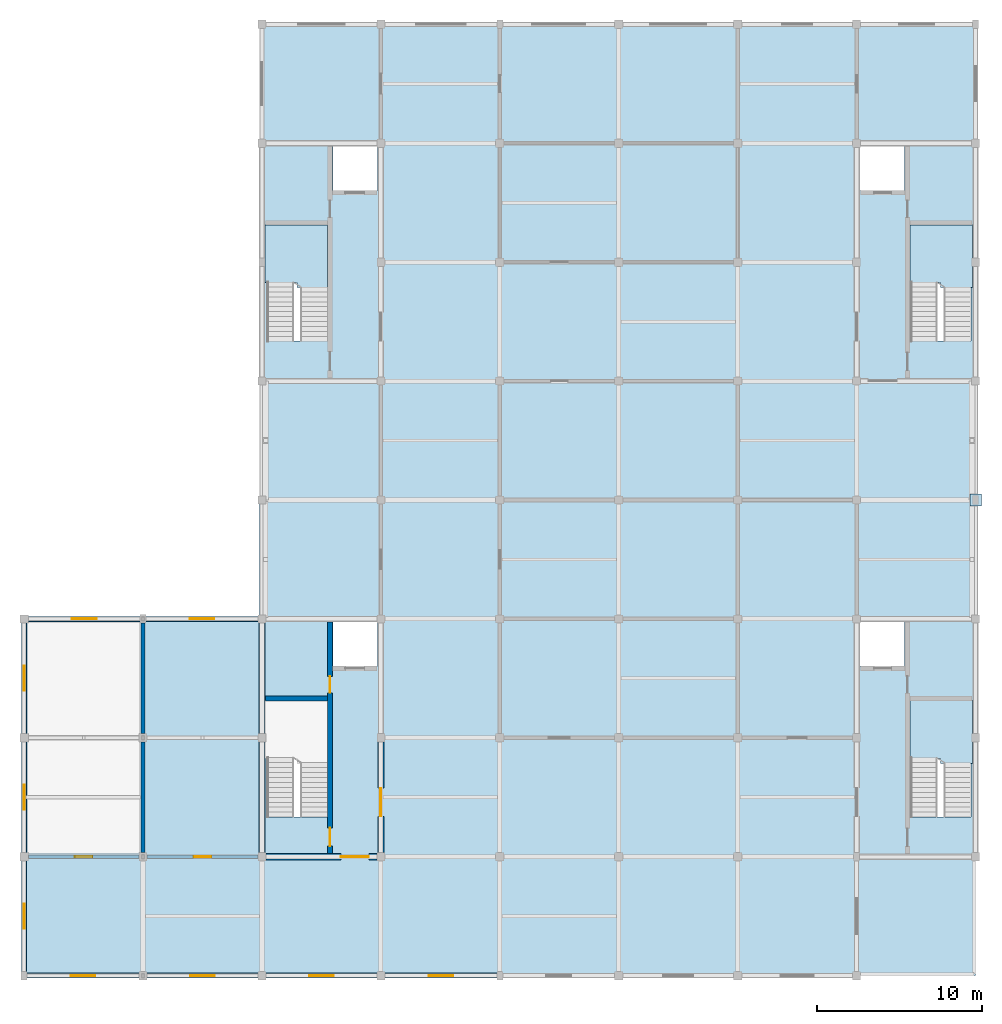
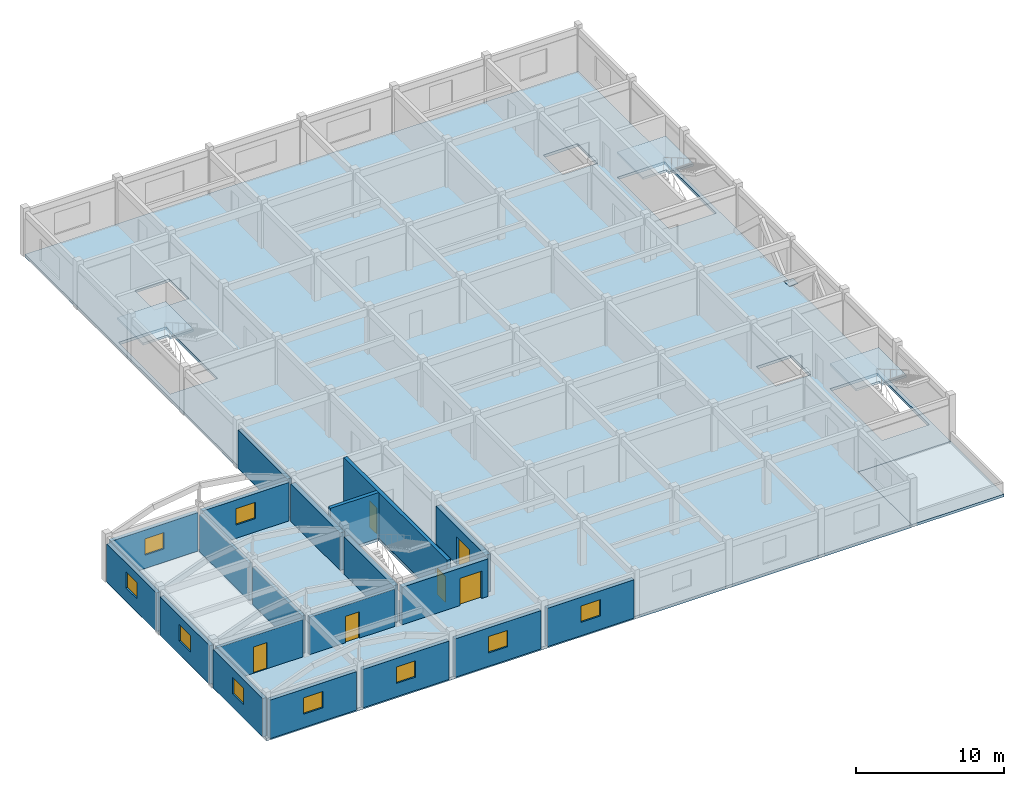
# One storey, part 6 of 10: 20 walls, 9 windows, 6 doors, 5 slabs, 1 plate, 15 openings, 3 elements without a shape of their own.
"""IFC4 building model written with IfcOpenShell, lengths in metres."""

from ifc_helpers import new_model, si_unit, direction, frame, frame_2d, origin, origin_2d, place, context, subcontext, project, spatial, polyline, rectangle, outline, extrude, material, layer, layer_set, type_object, element, fill, aggregate, save


model = new_model("IFC4")

# Units and contexts
model_context = context("Model", 3, precision=1e-05, world=origin(), true_north=direction((0.0, 1.0)))
body_context = subcontext(model_context, "Body", "Model", "MODEL_VIEW")
ifc_project = project(units=[si_unit("LENGTHUNIT", "METRE"), si_unit("AREAUNIT", "SQUARE_METRE"), si_unit("VOLUMEUNIT", "CUBIC_METRE"), si_unit("PLANEANGLEUNIT", "RADIAN"), si_unit("MASSUNIT", "GRAM", prefix="KILO")], contexts=[model_context])

# Site, building, storey
site_placement = place(None, origin())
site = spatial("IfcSite", under=ifc_project, at=site_placement, CompositionType="ELEMENT")
building_placement = place(site_placement, origin())
building = spatial("IfcBuilding", under=site, at=building_placement, Name="Cendaluz Park School", CompositionType="ELEMENT")
storey_placement = place(building_placement, frame((0.0, 0.0, 51.0)))
storey = spatial("IfcBuildingStorey", under=building, at=storey_placement, Name="L12", CompositionType="ELEMENT", Elevation=51.0)

# Plate
ifc_material_1 = material(Name="Steel S355", Category="steel")
ifc_layer_1 = layer(ifc_material_1, 0.030029296875)
ifc_layer_set_1 = layer_set([ifc_layer_1], Name="Steel S355")
plate_type = type_object("IfcPlateType", Name="GP-02", PredefinedType="SHEET", material=ifc_layer_set_1)
plate_placement = place(storey_placement, frame((108.0, 36.0, 0.0), z_axis=(0.0, 0.0, 1.0), x_axis=(1.0, 0.0, 0.0)))
element("IfcPlate", 1, at=plate_placement, inside=storey, type_object=plate_type, Name="GP-L12-BF01", PredefinedType="SHEET", context=body_context, shape_type="SweptSolid", body=[
    extrude(rectangle(XDim=0.699951171875, YDim=0.699951171875, at=origin_2d()), origin(), (0.0, 0.0, 1.0), 0.030029296875),
])

# Slab
ifc_material_2 = material(Name="Cross-laminated timber CLT C24", Category="wood")
ifc_layer_2 = layer(ifc_material_2, 0.22998046875)
ifc_layer_set_2 = layer_set([ifc_layer_2], Name="Cross-laminated timber CLT C24")
slab_type_1 = type_object("IfcSlabType", Name="SL-FL-230", PredefinedType="FLOOR", material=ifc_layer_set_2)
slab_1_placement = place(storey_placement, frame((0.0, 0.0, -0.22998046875)))
element("IfcSlab", 2, at=slab_1_placement, inside=storey, type_object=slab_type_1, Name="SL-L12-01", PredefinedType="FLOOR", context=body_context, shape_type="SweptSolid", body=[
    extrude(outline(polyline([(64.800048828125, 64.800048828125), (108.0, 64.800048828125), (108.0, 14.39990234375), (100.800048828125, 14.39990234375), (100.800048828125, 7.199951171875), (50.39990234375, 7.199951171875), (50.39990234375, 28.800048828125), (64.800048828125, 28.800048828125), (64.800048828125, 64.800048828125)]), holes=[polyline([(68.77001953125, 16.820068359375), (68.77001953125, 23.840087890625), (65.080078125, 23.840087890625), (65.080078125, 16.820068359375), (68.77001953125, 16.820068359375)]), polyline([(69.10009765625, 25.93994140625), (71.800048828125, 25.93994140625), (71.800048828125, 28.60009765625), (69.10009765625, 28.60009765625), (69.10009765625, 25.93994140625)]), polyline([(104.030029296875, 23.840087890625), (104.030029296875, 16.820068359375), (107.719970703125, 16.820068359375), (107.719970703125, 23.840087890625), (104.030029296875, 23.840087890625)]), polyline([(103.699951171875, 28.60009765625), (101.0, 28.60009765625), (101.0, 25.93994140625), (103.699951171875, 25.93994140625), (103.699951171875, 28.60009765625)]), polyline([(68.77001953125, 45.6201171875), (68.77001953125, 52.639892578125), (65.080078125, 52.639892578125), (65.080078125, 45.6201171875), (68.77001953125, 45.6201171875)]), polyline([(69.10009765625, 54.739990234375), (71.800048828125, 54.739990234375), (71.800048828125, 57.39990234375), (69.10009765625, 57.39990234375), (69.10009765625, 54.739990234375)]), polyline([(104.030029296875, 52.639892578125), (104.030029296875, 45.6201171875), (107.719970703125, 45.6201171875), (107.719970703125, 52.639892578125), (104.030029296875, 52.639892578125)]), polyline([(103.699951171875, 57.39990234375), (101.0, 57.39990234375), (101.0, 54.739990234375), (103.699951171875, 54.739990234375), (103.699951171875, 57.39990234375)])]), origin(), (0.0, 0.0, 1.0), 0.22998046875),
])

# Stair, slab
stair_type = type_object("IfcStairType", Name="ST-400-165", PredefinedType="HALF_TURN_STAIR", material=ifc_material_2)
stair_1_placement = place(storey_placement, origin())
stair_1 = element("IfcStair", 3, at=stair_1_placement, inside=storey, type_object=stair_type, Name="ST-L12-C2", PredefinedType="HALF_TURN_STAIR")
ifc_layer_3 = layer(ifc_material_2, 0.179931640625)
ifc_layer_set_3 = layer_set([ifc_layer_3], Name="Cross-laminated timber CLT C24")
slab_type_2 = type_object("IfcSlabType", Name="SL-LD-180", PredefinedType="LANDING", material=ifc_layer_set_3)
slab_2_placement = place(storey_placement, frame((0.0, 0.0, 1.89990234375)))
slab_2 = element("IfcSlab", 4, at=slab_2_placement, type_object=slab_type_2, Name="SL-LD-L12-C2", PredefinedType="LANDING", context=body_context, shape_type="SweptSolid", body=[
    extrude(outline(polyline([(104.030029296875, 20.360107421875), (105.875, 20.360107421875), (105.875, 20.06005859375), (107.81005859375, 20.06005859375), (107.81005859375, 23.860107421875), (104.030029296875, 23.860107421875), (104.030029296875, 20.360107421875)])), origin(), (0.0, 0.0, 1.0), 0.18017578125),
])
aggregate(stair_1, [slab_2])

stair_2_placement = place(storey_placement, origin())
stair_2 = element("IfcStair", 5, at=stair_2_placement, inside=storey, type_object=stair_type, Name="ST-L12-C3", PredefinedType="HALF_TURN_STAIR")
slab_3_placement = place(storey_placement, frame((0.0, 0.0, 1.89990234375)))
slab_3 = element("IfcSlab", 6, at=slab_3_placement, type_object=slab_type_2, Name="SL-LD-L12-C3", PredefinedType="LANDING", context=body_context, shape_type="SweptSolid", body=[
    extrude(outline(polyline([(64.989990234375, 49.159912109375), (66.925048828125, 49.159912109375), (66.925048828125, 48.860107421875), (68.77001953125, 48.860107421875), (68.77001953125, 52.659912109375), (64.989990234375, 52.659912109375), (64.989990234375, 49.159912109375)])), origin(), (0.0, 0.0, 1.0), 0.18017578125),
])
aggregate(stair_2, [slab_3])

stair_3_placement = place(storey_placement, origin())
stair_3 = element("IfcStair", 7, at=stair_3_placement, inside=storey, type_object=stair_type, Name="ST-L12-C4", PredefinedType="HALF_TURN_STAIR")
slab_4_placement = place(storey_placement, frame((0.0, 0.0, 1.89990234375)))
slab_4 = element("IfcSlab", 8, at=slab_4_placement, type_object=slab_type_2, Name="SL-LD-L12-C4", PredefinedType="LANDING", context=body_context, shape_type="SweptSolid", body=[
    extrude(outline(polyline([(104.030029296875, 49.159912109375), (105.875, 49.159912109375), (105.875, 48.860107421875), (107.81005859375, 48.860107421875), (107.81005859375, 52.659912109375), (104.030029296875, 52.659912109375), (104.030029296875, 49.159912109375)])), origin(), (0.0, 0.0, 1.0), 0.18017578125),
])
aggregate(stair_3, [slab_4])

# Slab
ifc_layer_4 = layer(ifc_material_2, 0.219970703125)
ifc_layer_set_4 = layer_set([ifc_layer_4], Name="Cross-laminated timber CLT C24")
slab_type_3 = type_object("IfcSlabType", Name="SL-RF-220-CLT", PredefinedType="ROOF", material=ifc_layer_set_4)
slab_5_placement = place(storey_placement, frame((0.0, 0.0, -0.219970703125)))
element("IfcSlab", 9, at=slab_5_placement, inside=storey, type_object=slab_type_3, Name="SL-RF-L11-03", PredefinedType="ROOF", context=body_context, shape_type="SweptSolid", body=[
    extrude(outline(polyline([(108.0, 7.199951171875), (108.0, 14.39990234375), (100.800048828125, 14.39990234375), (100.800048828125, 7.199951171875), (108.0, 7.199951171875)])), origin(), (0.0, 0.0, 1.0), 0.219970703125),
])

# Wall, opening, window
ifc_layer_5 = layer(ifc_material_2, 0.300048828125)
ifc_layer_set_5 = layer_set([ifc_layer_5], Name="Cross-laminated timber CLT C24")
wall_type_1 = type_object("IfcWallType", Name="W-EX30", PredefinedType="SOLIDWALL", material=ifc_layer_set_5)
wall_1_placement = place(storey_placement, frame((50.580078125, 7.199951171875, 0.0), z_axis=(0.0, 0.0, 1.0), x_axis=(1.0, 0.0, 0.0)))
wall_1 = element("IfcWall", 10, at=wall_1_placement, inside=storey, type_object=wall_type_1, Name="WL-FM-AA0", PredefinedType="SOLIDWALL", context=body_context, shape_type="SweptSolid", body=[
    extrude(rectangle(XDim=6.77001953125, YDim=0.300048828125, at=frame_2d((3.385009765625, 0.0))), origin(), (0.0, 0.0, 1.0), 3.169921875),
])
opening_1_placement = place(wall_1_placement, frame((2.635009765625, 0.0, 1.10009765625)))
opening_1 = element("IfcOpeningElement", 11, at=opening_1_placement, cuts=wall_1, Name="Opening WN-20", PredefinedType="OPENING", context=body_context, shape_type="SweptSolid", body=[
    extrude(rectangle(XDim=1.5, YDim=1.35009765625, at=frame_2d((0.75, 0.675048828125))), frame((0.0, 0.162109375, 0.0), z_axis=(0.0, -1.0, 0.0), x_axis=(1.0, 0.0, 0.0)), (0.0, 0.0, 1.0), 0.323974609375),
])
ifc_material_3 = material(Name="Tempered Low-E Double Glazing", Category="glass")
window_type = type_object("IfcWindowType", Name="WN-20", PartitioningType="SINGLE_PANEL", PredefinedType="WINDOW", material=ifc_material_3)
window_1_placement = place(opening_1_placement, origin())
window_1 = element("IfcWindow", 12, at=window_1_placement, inside=storey, type_object=window_type, Name="WN-L12-001", OverallHeight=1.35009765625, OverallWidth=1.5, PartitioningType="SINGLE_PANEL", PredefinedType="WINDOW", context=body_context, shape_type="SweptSolid", body=[
    extrude(rectangle(XDim=1.5, YDim=1.35009765625, at=frame_2d((0.75, 0.675048828125))), frame((0.0, 0.030029296875, 0.0), z_axis=(0.0, -1.0, 0.0), x_axis=(1.0, 0.0, 0.0)), (0.0, 0.0, 1.0), 0.06005859375),
])
fill(opening_1, window_1)

wall_2_placement = place(storey_placement, frame((50.39990234375, 7.4599609375, 0.0), z_axis=(0.0, 0.0, 1.0), x_axis=(0.0, 1.0, 0.0)))
wall_2 = element("IfcWall", 13, at=wall_2_placement, inside=storey, type_object=wall_type_1, Name="WL-FM-AA1", PredefinedType="SOLIDWALL", context=body_context, shape_type="SweptSolid", body=[
    extrude(rectangle(XDim=6.68994140625, YDim=0.300048828125, at=frame_2d((3.344970703125, 0.0))), origin(), (0.0, 0.0, 1.0), 3.169921875),
])
opening_2_placement = place(wall_2_placement, frame((2.594970703125, 0.0, 1.10009765625)))
opening_2 = element("IfcOpeningElement", 14, at=opening_2_placement, cuts=wall_2, Name="Opening WN-20", PredefinedType="OPENING", context=body_context, shape_type="SweptSolid", body=[
    extrude(rectangle(XDim=1.5, YDim=1.35009765625, at=frame_2d((0.75, 0.675048828125))), frame((0.0, 0.162109375, 0.0), z_axis=(0.0, -1.0, 0.0), x_axis=(1.0, 0.0, 0.0)), (0.0, 0.0, 1.0), 0.323974609375),
])
window_2_placement = place(opening_2_placement, origin())
window_2 = element("IfcWindow", 15, at=window_2_placement, inside=storey, type_object=window_type, Name="WN-L12-002", OverallHeight=1.35009765625, OverallWidth=1.5, PartitioningType="SINGLE_PANEL", PredefinedType="WINDOW", context=body_context, shape_type="SweptSolid", body=[
    extrude(rectangle(XDim=1.5, YDim=1.35009765625, at=frame_2d((0.75, 0.675048828125))), frame((0.0, 0.030029296875, 0.0), z_axis=(0.0, -1.0, 0.0), x_axis=(1.0, 0.0, 0.0)), (0.0, 0.0, 1.0), 0.06005859375),
])
fill(opening_2, window_2)

wall_3_placement = place(storey_placement, frame((50.39990234375, 14.64990234375, 0.0), z_axis=(0.0, 0.0, 1.0), x_axis=(0.0, 1.0, 0.0)))
wall_3 = element("IfcWall", 16, at=wall_3_placement, inside=storey, type_object=wall_type_1, Name="WL-FM-AA2", PredefinedType="SOLIDWALL", context=body_context, shape_type="SweptSolid", body=[
    extrude(rectangle(XDim=6.7001953125, YDim=0.300048828125, at=frame_2d((3.35009765625, 0.0))), origin(), (0.0, 0.0, 1.0), 3.169921875),
])
opening_3_placement = place(wall_3_placement, frame((2.60009765625, 0.0, 1.10009765625)))
opening_3 = element("IfcOpeningElement", 17, at=opening_3_placement, cuts=wall_3, Name="Opening WN-20", PredefinedType="OPENING", context=body_context, shape_type="SweptSolid", body=[
    extrude(rectangle(XDim=1.5, YDim=1.35009765625, at=frame_2d((0.75, 0.675048828125))), frame((0.0, 0.162109375, 0.0), z_axis=(0.0, -1.0, 0.0), x_axis=(1.0, 0.0, 0.0)), (0.0, 0.0, 1.0), 0.323974609375),
])
window_3_placement = place(opening_3_placement, origin())
window_3 = element("IfcWindow", 18, at=window_3_placement, inside=storey, type_object=window_type, Name="WN-L12-003", OverallHeight=1.35009765625, OverallWidth=1.5, PartitioningType="SINGLE_PANEL", PredefinedType="WINDOW", context=body_context, shape_type="SweptSolid", body=[
    extrude(rectangle(XDim=1.5, YDim=1.35009765625, at=frame_2d((0.75, 0.675048828125))), frame((0.0, 0.030029296875, 0.0), z_axis=(0.0, -1.0, 0.0), x_axis=(1.0, 0.0, 0.0)), (0.0, 0.0, 1.0), 0.06005859375),
])
fill(opening_3, window_3)

wall_4_placement = place(storey_placement, frame((50.64990234375, 28.800048828125, 0.0), z_axis=(0.0, 0.0, 1.0), x_axis=(1.0, 0.0, 0.0)))
wall_4 = element("IfcWall", 19, at=wall_4_placement, inside=storey, type_object=wall_type_1, Name="WL-FM-AA3", PredefinedType="SOLIDWALL", context=body_context, shape_type="SweptSolid", body=[
    extrude(rectangle(XDim=6.77001953125, YDim=0.300048828125, at=frame_2d((3.385009765625, 0.0))), origin(), (0.0, 0.0, 1.0), 3.169921875),
])
opening_4_placement = place(wall_4_placement, frame((2.635009765625, 0.0, 1.10009765625)))
opening_4 = element("IfcOpeningElement", 20, at=opening_4_placement, cuts=wall_4, Name="Opening WN-20", PredefinedType="OPENING", context=body_context, shape_type="SweptSolid", body=[
    extrude(rectangle(XDim=1.5, YDim=1.35009765625, at=frame_2d((0.75, 0.675048828125))), frame((0.0, 0.162109375, 0.0), z_axis=(0.0, -1.0, 0.0), x_axis=(1.0, 0.0, 0.0)), (0.0, 0.0, 1.0), 0.323974609375),
])
window_4_placement = place(opening_4_placement, origin())
window_4 = element("IfcWindow", 21, at=window_4_placement, inside=storey, type_object=window_type, Name="WN-L12-004", OverallHeight=1.35009765625, OverallWidth=1.5, PartitioningType="SINGLE_PANEL", PredefinedType="WINDOW", context=body_context, shape_type="SweptSolid", body=[
    extrude(rectangle(XDim=1.5, YDim=1.35009765625, at=frame_2d((0.75, 0.675048828125))), frame((0.0, 0.030029296875, 0.0), z_axis=(0.0, -1.0, 0.0), x_axis=(1.0, 0.0, 0.0)), (0.0, 0.0, 1.0), 0.06005859375),
])
fill(opening_4, window_4)

wall_5_placement = place(storey_placement, frame((50.39990234375, 21.85009765625, 0.0), z_axis=(0.0, 0.0, 1.0), x_axis=(0.0, 1.0, 0.0)))
wall_5 = element("IfcWall", 22, at=wall_5_placement, inside=storey, type_object=wall_type_1, Name="WL-FM-AA4", PredefinedType="SOLIDWALL", context=body_context, shape_type="SweptSolid", body=[
    extrude(rectangle(XDim=6.699951171875, YDim=0.300048828125, at=frame_2d((3.35009765625, 0.0))), origin(), (0.0, 0.0, 1.0), 3.169921875),
])
opening_5_placement = place(wall_5_placement, frame((2.60009765625, 0.0, 1.10009765625)))
opening_5 = element("IfcOpeningElement", 23, at=opening_5_placement, cuts=wall_5, Name="Opening WN-20", PredefinedType="OPENING", context=body_context, shape_type="SweptSolid", body=[
    extrude(rectangle(XDim=1.5, YDim=1.35009765625, at=frame_2d((0.75, 0.675048828125))), frame((0.0, 0.162109375, 0.0), z_axis=(0.0, -1.0, 0.0), x_axis=(1.0, 0.0, 0.0)), (0.0, 0.0, 1.0), 0.323974609375),
])
window_5_placement = place(opening_5_placement, origin())
window_5 = element("IfcWindow", 24, at=window_5_placement, inside=storey, type_object=window_type, Name="WN-L12-005", OverallHeight=1.35009765625, OverallWidth=1.5, PartitioningType="SINGLE_PANEL", PredefinedType="WINDOW", context=body_context, shape_type="SweptSolid", body=[
    extrude(rectangle(XDim=1.5, YDim=1.35009765625, at=frame_2d((0.75, 0.675048828125))), frame((0.0, 0.030029296875, 0.0), z_axis=(0.0, -1.0, 0.0), x_axis=(1.0, 0.0, 0.0)), (0.0, 0.0, 1.0), 0.06005859375),
])
fill(opening_5, window_5)

wall_6_placement = place(storey_placement, frame((57.85009765625, 7.199951171875, 0.0), z_axis=(0.0, 0.0, 1.0), x_axis=(1.0, 0.0, 0.0)))
wall_6 = element("IfcWall", 25, at=wall_6_placement, inside=storey, type_object=wall_type_1, Name="WL-FM-AA5", PredefinedType="SOLIDWALL", context=body_context, shape_type="SweptSolid", body=[
    extrude(rectangle(XDim=6.699951171875, YDim=0.300048828125, at=frame_2d((3.35009765625, 0.0))), origin(), (0.0, 0.0, 1.0), 3.169921875),
])
opening_6_placement = place(wall_6_placement, frame((2.60009765625, 0.0, 1.10009765625)))
opening_6 = element("IfcOpeningElement", 26, at=opening_6_placement, cuts=wall_6, Name="Opening WN-20", PredefinedType="OPENING", context=body_context, shape_type="SweptSolid", body=[
    extrude(rectangle(XDim=1.5, YDim=1.35009765625, at=frame_2d((0.75, 0.675048828125))), frame((0.0, 0.162109375, 0.0), z_axis=(0.0, -1.0, 0.0), x_axis=(1.0, 0.0, 0.0)), (0.0, 0.0, 1.0), 0.323974609375),
])
window_6_placement = place(opening_6_placement, origin())
window_6 = element("IfcWindow", 27, at=window_6_placement, inside=storey, type_object=window_type, Name="WN-L12-006", OverallHeight=1.35009765625, OverallWidth=1.5, PartitioningType="SINGLE_PANEL", PredefinedType="WINDOW", context=body_context, shape_type="SweptSolid", body=[
    extrude(rectangle(XDim=1.5, YDim=1.35009765625, at=frame_2d((0.75, 0.675048828125))), frame((0.0, 0.030029296875, 0.0), z_axis=(0.0, -1.0, 0.0), x_axis=(1.0, 0.0, 0.0)), (0.0, 0.0, 1.0), 0.06005859375),
])
fill(opening_6, window_6)

wall_7_placement = place(storey_placement, frame((57.780029296875, 28.800048828125, 0.0), z_axis=(0.0, 0.0, 1.0), x_axis=(1.0, 0.0, 0.0)))
wall_7 = element("IfcWall", 28, at=wall_7_placement, inside=storey, type_object=wall_type_1, Name="WL-FM-AA6", PredefinedType="SOLIDWALL", context=body_context, shape_type="SweptSolid", body=[
    extrude(rectangle(XDim=6.77001953125, YDim=0.300048828125, at=frame_2d((3.385009765625, 0.0))), origin(), (0.0, 0.0, 1.0), 3.169921875),
])
opening_7_placement = place(wall_7_placement, frame((2.635009765625, 0.0, 1.10009765625)))
opening_7 = element("IfcOpeningElement", 29, at=opening_7_placement, cuts=wall_7, Name="Opening WN-20", PredefinedType="OPENING", context=body_context, shape_type="SweptSolid", body=[
    extrude(rectangle(XDim=1.5, YDim=1.35009765625, at=frame_2d((0.75, 0.675048828125))), frame((0.0, 0.162109375, 0.0), z_axis=(0.0, -1.0, 0.0), x_axis=(1.0, 0.0, 0.0)), (0.0, 0.0, 1.0), 0.323974609375),
])
window_7_placement = place(opening_7_placement, origin())
window_7 = element("IfcWindow", 30, at=window_7_placement, inside=storey, type_object=window_type, Name="WN-L12-007", OverallHeight=1.35009765625, OverallWidth=1.5, PartitioningType="SINGLE_PANEL", PredefinedType="WINDOW", context=body_context, shape_type="SweptSolid", body=[
    extrude(rectangle(XDim=1.5, YDim=1.35009765625, at=frame_2d((0.75, 0.675048828125))), frame((0.0, 0.030029296875, 0.0), z_axis=(0.0, -1.0, 0.0), x_axis=(1.0, 0.0, 0.0)), (0.0, 0.0, 1.0), 0.06005859375),
])
fill(opening_7, window_7)

wall_8_placement = place(storey_placement, frame((65.050048828125, 7.199951171875, 0.0), z_axis=(0.0, 0.0, 1.0), x_axis=(1.0, 0.0, 0.0)))
wall_8 = element("IfcWall", 31, at=wall_8_placement, inside=storey, type_object=wall_type_1, Name="WL-FM-AA7", PredefinedType="SOLIDWALL", context=body_context, shape_type="SweptSolid", body=[
    extrude(rectangle(XDim=6.699951171875, YDim=0.300048828125, at=frame_2d((3.35009765625, 0.0))), origin(), (0.0, 0.0, 1.0), 3.169921875),
])
opening_8_placement = place(wall_8_placement, frame((2.60009765625, 0.0, 1.10009765625)))
opening_8 = element("IfcOpeningElement", 32, at=opening_8_placement, cuts=wall_8, Name="Opening WN-20", PredefinedType="OPENING", context=body_context, shape_type="SweptSolid", body=[
    extrude(rectangle(XDim=1.5, YDim=1.35009765625, at=frame_2d((0.75, 0.675048828125))), frame((0.0, 0.162109375, 0.0), z_axis=(0.0, -1.0, 0.0), x_axis=(1.0, 0.0, 0.0)), (0.0, 0.0, 1.0), 0.323974609375),
])
window_8_placement = place(opening_8_placement, origin())
window_8 = element("IfcWindow", 33, at=window_8_placement, inside=storey, type_object=window_type, Name="WN-L12-008", OverallHeight=1.35009765625, OverallWidth=1.5, PartitioningType="SINGLE_PANEL", PredefinedType="WINDOW", context=body_context, shape_type="SweptSolid", body=[
    extrude(rectangle(XDim=1.5, YDim=1.35009765625, at=frame_2d((0.75, 0.675048828125))), frame((0.0, 0.030029296875, 0.0), z_axis=(0.0, -1.0, 0.0), x_axis=(1.0, 0.0, 0.0)), (0.0, 0.0, 1.0), 0.06005859375),
])
fill(opening_8, window_8)

# Wall
wall_9_placement = place(storey_placement, frame((64.800048828125, 29.050048828125, 0.0), z_axis=(0.0, 0.0, 1.0), x_axis=(0.0, 1.0, 0.0)))
element("IfcWall", 34, at=wall_9_placement, inside=storey, type_object=wall_type_1, Name="WL-FM-AA8", PredefinedType="SOLIDWALL", context=body_context, shape_type="SweptSolid", body=[
    extrude(rectangle(XDim=6.699951171875, YDim=0.300048828125, at=frame_2d((3.35009765625, 0.0))), origin(), (0.0, 0.0, 1.0), 3.169921875),
])

# Wall, opening, window
wall_10_placement = place(storey_placement, frame((72.25, 7.199951171875, 0.0), z_axis=(0.0, 0.0, 1.0), x_axis=(1.0, 0.0, 0.0)))
wall_10 = element("IfcWall", 35, at=wall_10_placement, inside=storey, type_object=wall_type_1, Name="WL-FM-AB2", PredefinedType="SOLIDWALL", context=body_context, shape_type="SweptSolid", body=[
    extrude(rectangle(XDim=6.77001953125, YDim=0.300048828125, at=frame_2d((3.385009765625, 0.0))), origin(), (0.0, 0.0, 1.0), 3.169921875),
])
opening_9_placement = place(wall_10_placement, frame((2.635009765625, 0.0, 1.10009765625)))
opening_9 = element("IfcOpeningElement", 36, at=opening_9_placement, cuts=wall_10, Name="Opening WN-20", PredefinedType="OPENING", context=body_context, shape_type="SweptSolid", body=[
    extrude(rectangle(XDim=1.5, YDim=1.35009765625, at=frame_2d((0.75, 0.675048828125))), frame((0.0, 0.162109375, 0.0), z_axis=(0.0, -1.0, 0.0), x_axis=(1.0, 0.0, 0.0)), (0.0, 0.0, 1.0), 0.323974609375),
])
window_9_placement = place(opening_9_placement, origin())
window_9 = element("IfcWindow", 37, at=window_9_placement, inside=storey, type_object=window_type, Name="WN-L12-011", OverallHeight=1.35009765625, OverallWidth=1.5, PartitioningType="SINGLE_PANEL", PredefinedType="WINDOW", context=body_context, shape_type="SweptSolid", body=[
    extrude(rectangle(XDim=1.5, YDim=1.35009765625, at=frame_2d((0.75, 0.675048828125))), frame((0.0, 0.030029296875, 0.0), z_axis=(0.0, -1.0, 0.0), x_axis=(1.0, 0.0, 0.0)), (0.0, 0.0, 1.0), 0.06005859375),
])
fill(opening_9, window_9)

# Wall, openings, doors
ifc_material_4 = material(Name="Concrete C40/50", Category="concrete")
ifc_layer_6 = layer(ifc_material_4, 0.280029296875)
ifc_layer_set_6 = layer_set([ifc_layer_6], Name="Concrete C40/50")
wall_type_2 = type_object("IfcWallType", Name="W-FW28", PredefinedType="SHEAR", material=ifc_layer_set_6)
wall_11_placement = place(storey_placement, frame((68.919921875, 14.60009765625, 0.0), z_axis=(0.0, 0.0, 1.0), x_axis=(0.0, 1.0, 0.0)))
wall_11 = element("IfcWall", 38, at=wall_11_placement, inside=storey, type_object=wall_type_2, Name="WL-FM-BH3", PredefinedType="SHEAR", context=body_context, shape_type="SweptSolid", body=[
    extrude(rectangle(XDim=14.0, YDim=0.280029296875, at=frame_2d((7.0, 0.0))), origin(), (0.0, 0.0, 1.0), 3.780029296875),
])
opening_10_placement = place(wall_11_placement, frame((0.449951171875, 0.0, 0.0)))
opening_10 = element("IfcOpeningElement", 39, at=opening_10_placement, cuts=wall_11, Name="Opening DST-01", PredefinedType="OPENING", context=body_context, shape_type="SweptSolid", body=[
    extrude(rectangle(XDim=1.10009765625, YDim=2.14990234375, at=frame_2d((0.550048828125, 1.074951171875))), frame((0.0, 0.152099609375, 0.0), z_axis=(0.0, -1.0, 0.0), x_axis=(1.0, 0.0, 0.0)), (0.0, 0.0, 1.0), 0.303955078125),
])
opening_11_placement = place(wall_11_placement, frame((9.719970703125, 0.0, 0.0)))
opening_11 = element("IfcOpeningElement", 40, at=opening_11_placement, cuts=wall_11, Name="Opening DFC-01", PredefinedType="OPENING", context=body_context, shape_type="SweptSolid", body=[
    extrude(rectangle(XDim=1.0, YDim=2.14990234375, at=frame_2d((0.5, 1.074951171875))), frame((0.0, 0.152099609375, 0.0), z_axis=(0.0, -1.0, 0.0), x_axis=(1.0, 0.0, 0.0)), (0.0, 0.0, 1.0), 0.303955078125),
])
ifc_material_5 = material(Name="Solid Core Hardwood", Category="wood")
door_type_1 = type_object("IfcDoorType", Name="DFC-01", OperationType="NOTDEFINED", PredefinedType="DOOR", material=ifc_material_5)
door_1_placement = place(opening_11_placement, origin())
door_1 = element("IfcDoor", 41, at=door_1_placement, inside=storey, type_object=door_type_1, Name="D-L12-004", OperationType="SINGLE_SWING_RIGHT", OverallHeight=2.14990234375, OverallWidth=1.0, PredefinedType="DOOR", context=body_context, shape_type="SweptSolid", body=[
    extrude(rectangle(XDim=1.0, YDim=2.14990234375, at=frame_2d((0.5, 1.074951171875))), frame((0.0, 0.02490234375, 0.0), z_axis=(0.0, -1.0, 0.0), x_axis=(1.0, 0.0, 0.0)), (0.0, 0.0, 1.0), 0.050048828125),
])
fill(opening_11, door_1)
door_type_2 = type_object("IfcDoorType", Name="DST-01", OperationType="NOTDEFINED", PredefinedType="DOOR", material=ifc_material_5)
door_2_placement = place(opening_10_placement, origin())
door_2 = element("IfcDoor", 42, at=door_2_placement, inside=storey, type_object=door_type_2, Name="D-L12-003", OperationType="SINGLE_SWING_LEFT", OverallHeight=2.14990234375, OverallWidth=1.10009765625, PredefinedType="DOOR", context=body_context, shape_type="SweptSolid", body=[
    extrude(rectangle(XDim=1.10009765625, YDim=2.14990234375, at=frame_2d((0.550048828125, 1.074951171875))), frame((0.0, 0.02490234375, 0.0), z_axis=(0.0, -1.0, 0.0), x_axis=(1.0, 0.0, 0.0)), (0.0, 0.0, 1.0), 0.050048828125),
])
fill(opening_10, door_2)

# Wall
wall_12_placement = place(storey_placement, frame((65.0, 23.97998046875, 0.0), z_axis=(0.0, 0.0, 1.0), x_axis=(1.0, 0.0, 0.0)))
element("IfcWall", 43, at=wall_12_placement, inside=storey, type_object=wall_type_2, Name="WL-FM-BH4", PredefinedType="SHEAR", context=body_context, shape_type="SweptSolid", body=[
    extrude(rectangle(XDim=3.780029296875, YDim=0.280029296875, at=frame_2d((1.89013671875, 0.0))), origin(), (0.0, 0.0, 1.0), 3.780029296875),
])

# Wall, opening, door
ifc_material_6 = material(Name="Gypsum Plasterboard on Cold-Formed Stud", Category="gypsum")
ifc_layer_7 = layer(ifc_material_6, 0.219970703125)
ifc_layer_set_7 = layer_set([ifc_layer_7], Name="Gypsum Plasterboard on Cold-Formed Stud")
wall_type_3 = type_object("IfcWallType", Name="W-LB22", PredefinedType="PARTITIONING", material=ifc_layer_set_7)
wall_13_placement = place(storey_placement, frame((50.64990234375, 14.39990234375, 0.0), z_axis=(0.0, 0.0, 1.0), x_axis=(1.0, 0.0, 0.0)))
wall_13 = element("IfcWall", 44, at=wall_13_placement, inside=storey, type_object=wall_type_3, Name="WL-FM-BK3", PredefinedType="PARTITIONING", context=body_context, shape_type="SweptSolid", body=[
    extrude(rectangle(XDim=6.7001953125, YDim=0.219970703125, at=frame_2d((3.35009765625, 0.0))), origin(), (0.0, 0.0, 1.0), 3.090087890625),
])
opening_12_placement = place(wall_13_placement, frame((2.820068359375, 0.0, 0.0)))
opening_12 = element("IfcOpeningElement", 45, at=opening_12_placement, cuts=wall_13, Name="Opening DCL-04", PredefinedType="OPENING", context=body_context, shape_type="SweptSolid", body=[
    extrude(rectangle(XDim=1.06005859375, YDim=2.159912109375, at=frame_2d((0.530029296875, 1.080078125))), frame((0.0, 0.1220703125, 0.0), z_axis=(0.0, -1.0, 0.0), x_axis=(1.0, 0.0, 0.0)), (0.0, 0.0, 1.0), 0.243896484375),
])
door_type_3 = type_object("IfcDoorType", Name="DCL-04", OperationType="NOTDEFINED", PredefinedType="DOOR", material=ifc_material_5)
door_3_placement = place(opening_12_placement, frame((1.06005859375, 0.0, 0.0), z_axis=(0.0, 0.0, 1.0), x_axis=(-1.0, 0.0, 0.0)))
door_3 = element("IfcDoor", 46, at=door_3_placement, inside=storey, type_object=door_type_3, Name="D-L12-019", OperationType="SINGLE_SWING_RIGHT", OverallHeight=2.159912109375, OverallWidth=1.06005859375, PredefinedType="DOOR", context=body_context, shape_type="SweptSolid", body=[
    extrude(rectangle(XDim=1.06005859375, YDim=2.159912109375, at=frame_2d((0.530029296875, 1.080078125))), frame((0.0, 0.02490234375, 0.0), z_axis=(0.0, -1.0, 0.0), x_axis=(1.0, 0.0, 0.0)), (0.0, 0.0, 1.0), 0.050048828125),
])
fill(opening_12, door_3)

# Walls
wall_14_placement = place(storey_placement, frame((57.60009765625, 14.64990234375, 0.0), z_axis=(0.0, 0.0, 1.0), x_axis=(0.0, 1.0, 0.0)))
element("IfcWall", 47, at=wall_14_placement, inside=storey, type_object=wall_type_3, Name="WL-FM-BK4", PredefinedType="PARTITIONING", context=body_context, shape_type="SweptSolid", body=[
    extrude(rectangle(XDim=6.7001953125, YDim=0.219970703125, at=frame_2d((3.35009765625, 0.0))), origin(), (0.0, 0.0, 1.0), 3.090087890625),
])
wall_15_placement = place(storey_placement, frame((57.60009765625, 21.85009765625, 0.0), z_axis=(0.0, 0.0, 1.0), x_axis=(0.0, 1.0, 0.0)))
element("IfcWall", 48, at=wall_15_placement, inside=storey, type_object=wall_type_3, Name="WL-FM-BK5", PredefinedType="PARTITIONING", context=body_context, shape_type="SweptSolid", body=[
    extrude(rectangle(XDim=6.68994140625, YDim=0.219970703125, at=frame_2d((3.344970703125, 0.0))), origin(), (0.0, 0.0, 1.0), 3.090087890625),
])

# Wall, opening, door
wall_16_placement = place(storey_placement, frame((57.85009765625, 14.39990234375, 0.0), z_axis=(0.0, 0.0, 1.0), x_axis=(1.0, 0.0, 0.0)))
wall_16 = element("IfcWall", 49, at=wall_16_placement, inside=storey, type_object=wall_type_3, Name="WL-FM-BK6", PredefinedType="PARTITIONING", context=body_context, shape_type="SweptSolid", body=[
    extrude(rectangle(XDim=6.699951171875, YDim=0.219970703125, at=frame_2d((3.35009765625, 0.0))), origin(), (0.0, 0.0, 1.0), 3.090087890625),
])
opening_13_placement = place(wall_16_placement, frame((2.81005859375, 0.0, 0.0)))
opening_13 = element("IfcOpeningElement", 50, at=opening_13_placement, cuts=wall_16, Name="Opening DCL-05", PredefinedType="OPENING", context=body_context, shape_type="SweptSolid", body=[
    extrude(rectangle(XDim=1.080078125, YDim=2.179931640625, at=frame_2d((0.5400390625, 1.08984375))), frame((0.0, 0.1220703125, 0.0), z_axis=(0.0, -1.0, 0.0), x_axis=(1.0, 0.0, 0.0)), (0.0, 0.0, 1.0), 0.243896484375),
])
door_type_4 = type_object("IfcDoorType", Name="DCL-05", OperationType="NOTDEFINED", PredefinedType="DOOR", material=ifc_material_5)
door_4_placement = place(opening_13_placement, frame((1.080078125, 0.0, 0.0), z_axis=(0.0, 0.0, 1.0), x_axis=(-1.0, 0.0, 0.0)))
door_4 = element("IfcDoor", 51, at=door_4_placement, inside=storey, type_object=door_type_4, Name="D-L12-020", OperationType="SINGLE_SWING_LEFT", OverallHeight=2.179931640625, OverallWidth=1.080078125, PredefinedType="DOOR", context=body_context, shape_type="SweptSolid", body=[
    extrude(rectangle(XDim=1.080078125, YDim=2.179931640625, at=frame_2d((0.5400390625, 1.08984375))), frame((0.0, 0.02490234375, 0.0), z_axis=(0.0, -1.0, 0.0), x_axis=(1.0, 0.0, 0.0)), (0.0, 0.0, 1.0), 0.050048828125),
])
fill(opening_13, door_4)

# Walls
ifc_layer_8 = layer(ifc_material_4, 0.3798828125)
ifc_layer_set_8 = layer_set([ifc_layer_8], Name="Concrete C40/50")
wall_type_4 = type_object("IfcWallType", Name="W-SH38", PredefinedType="SHEAR", material=ifc_layer_set_8)
wall_17_placement = place(storey_placement, frame((64.800048828125, 14.64990234375, 0.0), z_axis=(0.0, 0.0, 1.0), x_axis=(0.0, 1.0, 0.0)))
element("IfcWall", 52, at=wall_17_placement, inside=storey, type_object=wall_type_4, Name="WL-FM-BG7", PredefinedType="SHEAR", context=body_context, shape_type="SweptSolid", body=[
    extrude(rectangle(XDim=6.7001953125, YDim=0.3798828125, at=frame_2d((3.35009765625, 0.0))), origin(), (0.0, 0.0, 1.0), 3.090087890625),
])
wall_18_placement = place(storey_placement, frame((64.800048828125, 21.85009765625, 0.0), z_axis=(0.0, 0.0, 1.0), x_axis=(0.0, 1.0, 0.0)))
element("IfcWall", 53, at=wall_18_placement, inside=storey, type_object=wall_type_4, Name="WL-FM-BG8", PredefinedType="SHEAR", context=body_context, shape_type="SweptSolid", body=[
    extrude(rectangle(XDim=6.699951171875, YDim=0.3798828125, at=frame_2d((3.35009765625, 0.0))), origin(), (0.0, 0.0, 1.0), 3.090087890625),
])

# Wall, opening, door
wall_19_placement = place(storey_placement, frame((72.0, 14.64990234375, 0.0), z_axis=(0.0, 0.0, 1.0), x_axis=(0.0, 1.0, 0.0)))
wall_19 = element("IfcWall", 54, at=wall_19_placement, inside=storey, type_object=wall_type_4, Name="WL-FM-BG9", PredefinedType="SHEAR", context=body_context, shape_type="SweptSolid", body=[
    extrude(rectangle(XDim=6.7001953125, YDim=0.3798828125, at=frame_2d((3.35009765625, 0.0))), origin(), (0.0, 0.0, 1.0), 3.090087890625),
])
opening_14_placement = place(wall_19_placement, frame((2.199951171875, 0.0, 0.0)))
opening_14 = element("IfcOpeningElement", 55, at=opening_14_placement, cuts=wall_19, Name="Opening DLB-02", PredefinedType="OPENING", context=body_context, shape_type="SweptSolid", body=[
    extrude(rectangle(XDim=1.699951171875, YDim=2.25, at=frame_2d((0.85009765625, 1.125))), frame((0.0, 0.201904296875, 0.0), z_axis=(0.0, -1.0, 0.0), x_axis=(1.0, 0.0, 0.0)), (0.0, 0.0, 1.0), 0.40380859375),
])
door_type_5 = type_object("IfcDoorType", Name="DLB-02", OperationType="DOUBLE_DOOR_SINGLE_SWING", PredefinedType="DOOR", material=ifc_material_5)
door_5_placement = place(opening_14_placement, origin())
door_5 = element("IfcDoor", 56, at=door_5_placement, inside=storey, type_object=door_type_5, Name="D-L12-001", OperationType="DOUBLE_DOOR_SINGLE_SWING", OverallHeight=2.25, OverallWidth=1.699951171875, PredefinedType="DOOR", context=body_context, shape_type="SweptSolid", body=[
    extrude(rectangle(XDim=1.699951171875, YDim=2.25, at=frame_2d((0.85009765625, 1.125))), frame((0.0, 0.02490234375, 0.0), z_axis=(0.0, -1.0, 0.0), x_axis=(1.0, 0.0, 0.0)), (0.0, 0.0, 1.0), 0.050048828125),
])
fill(opening_14, door_5)

wall_20_placement = place(storey_placement, frame((65.050048828125, 14.39990234375, 0.0), z_axis=(0.0, 0.0, 1.0), x_axis=(1.0, 0.0, 0.0)))
wall_20 = element("IfcWall", 57, at=wall_20_placement, inside=storey, type_object=wall_type_4, Name="WL-FM-BH1", PredefinedType="SHEAR", context=body_context, shape_type="SweptSolid", body=[
    extrude(rectangle(XDim=6.699951171875, YDim=0.3798828125, at=frame_2d((3.35009765625, 0.0))), origin(), (0.0, 0.0, 1.0), 3.090087890625),
])
opening_15_placement = place(wall_20_placement, frame((4.52001953125, 0.0, 0.0)))
opening_15 = element("IfcOpeningElement", 58, at=opening_15_placement, cuts=wall_20, Name="Opening DLB-02", PredefinedType="OPENING", context=body_context, shape_type="SweptSolid", body=[
    extrude(rectangle(XDim=1.699951171875, YDim=2.25, at=frame_2d((0.85009765625, 1.125))), frame((0.0, 0.201904296875, 0.0), z_axis=(0.0, -1.0, 0.0), x_axis=(1.0, 0.0, 0.0)), (0.0, 0.0, 1.0), 0.40380859375),
])
door_6_placement = place(opening_15_placement, origin())
door_6 = element("IfcDoor", 59, at=door_6_placement, inside=storey, type_object=door_type_5, Name="D-L12-002", OperationType="DOUBLE_DOOR_SINGLE_SWING", OverallHeight=2.25, OverallWidth=1.699951171875, PredefinedType="DOOR", context=body_context, shape_type="SweptSolid", body=[
    extrude(rectangle(XDim=1.699951171875, YDim=2.25, at=frame_2d((0.85009765625, 1.125))), frame((0.0, 0.02490234375, 0.0), z_axis=(0.0, -1.0, 0.0), x_axis=(1.0, 0.0, 0.0)), (0.0, 0.0, 1.0), 0.050048828125),
])
fill(opening_15, door_6)

save(model, "model.ifc")
